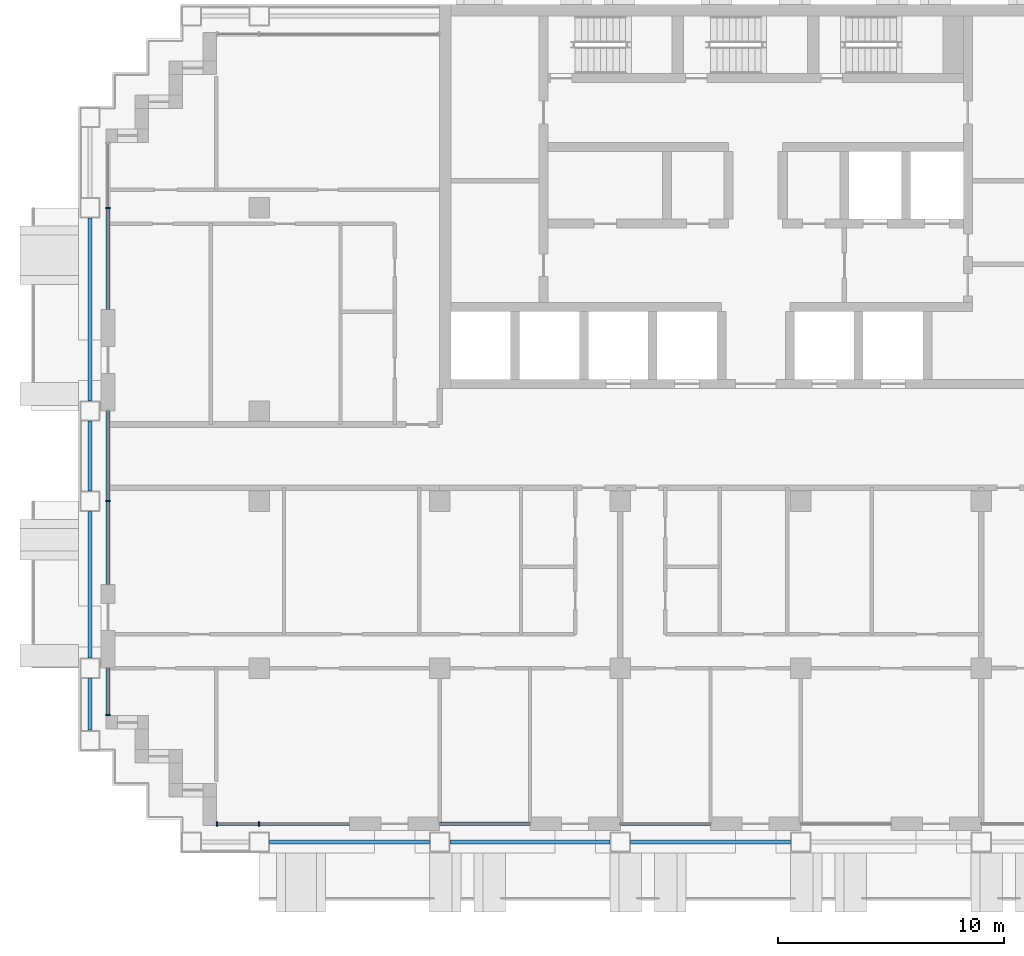
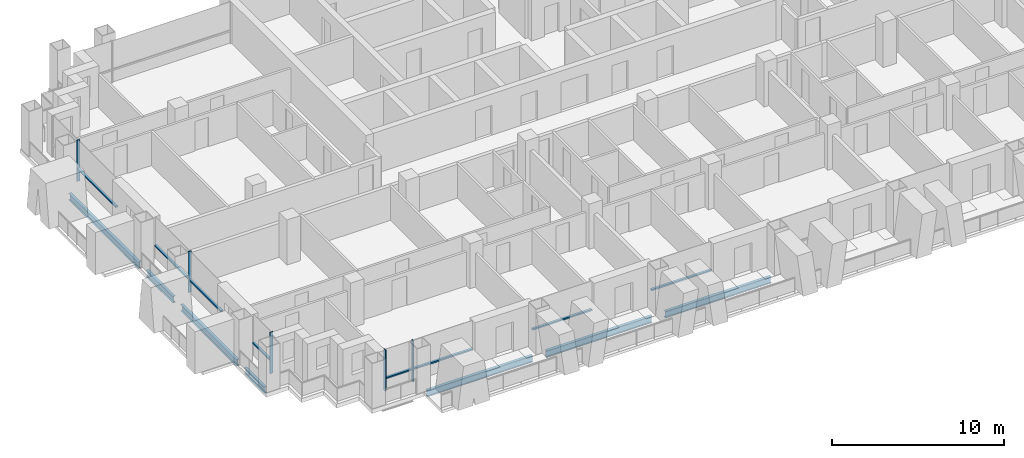
# One storey, part 2 of 18: 13 members, 7 beams, 6 elements without a shape of their own.
"""IFC4 building model written with IfcOpenShell, lengths in metres."""

import ifcopenshell
import ifcopenshell.guid

model = None  # the IFC model being written
_history = None  # IfcOwnerHistory: only IFC2X3 demands one
_inside = {}  # id of a spatial element -> (the spatial element, [elements in it])
_under = {}  # id of a project, library or spatial element -> (it, [spatial elements below it])
_declared = {}  # id of a project -> (the project, [libraries it declares])
_typed = {}  # id of a type object -> (the type object, [elements of that type])
_made_of = {}  # id of a material, layer set ... -> (it, [elements and type objects made of it])


def new_model(schema):
    """Start an empty IFC model of exactly this schema.

    Asked for "IFC4X3", IfcOpenShell would pick the latest addendum, in which some entities
    have other attributes; the version numbers below select the first issue.
    IFC2X3 requires an IfcOwnerHistory on every rooted entity: one is made here for all.
    """
    global model, _history
    if schema == "IFC4X3":
        model = ifcopenshell.file(schema_version=(4, 3, 0, 0))
    else:
        model = ifcopenshell.file(schema=schema)
    _inside.clear()
    _under.clear()
    _declared.clear()
    _typed.clear()
    _made_of.clear()
    _history = None
    if model.schema == "IFC2X3":
        org = make("IfcOrganization", Name="unknown")
        user = make(
            "IfcPersonAndOrganization",
            ThePerson=make("IfcPerson", FamilyName="unknown"),
            TheOrganization=org,
        )
        app = make(
            "IfcApplication",
            ApplicationDeveloper=org,
            Version="unknown",
            ApplicationFullName="unknown",
            ApplicationIdentifier="unknown",
        )
        _history = make(
            "IfcOwnerHistory",
            OwningUser=user,
            OwningApplication=app,
            ChangeAction="ADDED",
            CreationDate=0,
        )
    return model


def make(cls, **values):
    """One entity of the class cls with the attributes given. An attribute that is None is left unset."""
    return model.create_entity(
        cls, **{name: value for name, value in values.items() if value is not None}
    )


def rooted(cls, **values):
    """An entity with a GlobalId (a new one), such as an element, a storey or a relation."""
    return make(cls, GlobalId=ifcopenshell.guid.new(), OwnerHistory=_history, **values)


def si_unit(unit_type, name, prefix=None):
    """IfcSIUnit, for example si_unit("LENGTHUNIT", "METRE", prefix="MILLI")."""
    return make("IfcSIUnit", UnitType=unit_type, Prefix=prefix, Name=name)


def assignment(units):
    """IfcUnitAssignment: the units of a project."""
    return None if units is None else make("IfcUnitAssignment", Units=units)


def point(xyz):
    """IfcCartesianPoint."""
    return None if xyz is None else make("IfcCartesianPoint", Coordinates=xyz)


def direction(xyz):
    """IfcDirection."""
    return None if xyz is None else make("IfcDirection", DirectionRatios=xyz)


def frame(location, z_axis=None, x_axis=None):
    """IfcAxis2Placement3D, a coordinate frame: its origin and axes. An axis left out is left unset."""
    return make(
        "IfcAxis2Placement3D",
        Location=point(location),
        Axis=direction(z_axis),
        RefDirection=direction(x_axis),
    )


def frame_2d(location, x_axis=None):
    """IfcAxis2Placement2D, a coordinate frame in the plane: its origin and x axis."""
    return make(
        "IfcAxis2Placement2D", Location=point(location), RefDirection=direction(x_axis)
    )


def origin():
    """The frame at (0, 0, 0) with its axes left unset."""
    return frame((0.0, 0.0, 0.0))


def origin_2d():
    """The frame at (0, 0) in the plane with its x axis left unset."""
    return frame_2d((0.0, 0.0))


def place(relative_to, where):
    """IfcLocalPlacement: puts the frame where relative to a parent placement (None: the world)."""
    return make(
        "IfcLocalPlacement", PlacementRelTo=relative_to, RelativePlacement=where
    )


def context(
    kind, dimensions, precision=None, world=None, true_north=None, identifier=None
):
    """IfcGeometricRepresentationContext, for example the 3D "Model" context."""
    return make(
        "IfcGeometricRepresentationContext",
        ContextIdentifier=identifier,
        ContextType=kind,
        CoordinateSpaceDimension=dimensions,
        Precision=precision,
        WorldCoordinateSystem=world,
        TrueNorth=true_north,
    )


def subcontext(parent, identifier, kind, view, scale=None):
    """IfcGeometricRepresentationSubContext, for example "Body" below "Model"."""
    return make(
        "IfcGeometricRepresentationSubContext",
        ContextIdentifier=identifier,
        ContextType=kind,
        ParentContext=parent,
        TargetScale=scale,
        TargetView=view,
    )


def project(units=None, contexts=None):
    """IfcProject with its units and contexts."""
    return rooted(
        "IfcProject",
        Name="project",
        RepresentationContexts=contexts,
        UnitsInContext=assignment(units),
    )


def spatial(cls, under=None, at=None, **own):
    """A site, building, storey or space (cls), placed at a placement, below another one or the project."""
    s = rooted(cls, ObjectPlacement=at, **own)
    if under is not None:
        _under.setdefault(under.id(), (under, []))[1].append(s)
    return s


def profile(cls, at=None, kind="AREA", **sizes):
    """A parametric profile (cls). Its sizes go by their IFC names, for example OverallWidth=200.0."""
    return make(cls, ProfileType=kind, Position=at, **sizes)


def rectangle(**sizes):
    """IfcRectangleProfileDef."""
    return profile("IfcRectangleProfileDef", **sizes)


def i_section(**sizes):
    """IfcIShapeProfileDef."""
    return profile("IfcIShapeProfileDef", **sizes)


def extrude(swept, where, along, depth):
    """IfcExtrudedAreaSolid: the profile swept, set in the frame where, extruded along a direction by depth."""
    return make(
        "IfcExtrudedAreaSolid",
        SweptArea=swept,
        Position=where,
        ExtrudedDirection=direction(along),
        Depth=depth,
    )


def shape(context_of_items, identifier, shape_type, items):
    """IfcShapeRepresentation: the items that make up one representation, for example the "Body"."""
    return make(
        "IfcShapeRepresentation",
        ContextOfItems=context_of_items,
        RepresentationIdentifier=identifier,
        RepresentationType=shape_type,
        Items=items,
    )


def material(Name=None, Category=None):
    """IfcMaterial."""
    return make("IfcMaterial", Name=Name, Category=Category)


def material_profile(
    of_material, cross_section, Name=None, Category=None, Priority=None
):
    """IfcMaterialProfile: a cross section and its material."""
    return make(
        "IfcMaterialProfile",
        Name=Name,
        Material=of_material,
        Profile=cross_section,
        Priority=Priority,
        Category=Category,
    )


def profile_set(profiles, Name=None, composite=None):
    """IfcMaterialProfileSet."""
    return make(
        "IfcMaterialProfileSet",
        Name=Name,
        MaterialProfiles=profiles,
        CompositeProfile=composite,
    )


def made_of(thing, what):
    """Note that an element or type object is made of a material, layer set ...; save() writes the relation."""
    if what is not None:
        _made_of.setdefault(what.id(), (what, []))[1].append(thing)
    return thing


def type_object(cls, material=None, **own):
    """A type object (cls), such as IfcWallType, which elements share."""
    return made_of(rooted(cls, **own), material)


def element(
    cls,
    number,
    at=None,
    inside=None,
    cuts=None,
    type_object=None,
    material=None,
    context=None,
    identifier="Body",
    shape_type=None,
    held_by="IfcProductDefinitionShape",
    body=None,
    shapes=None,
    **own,
):
    """One element of the class cls, such as IfcWall. Its Tag is "e" and its number.

    at: its placement. inside: the storey or other place that contains it. cuts: it is an
    opening in that element (IfcRelVoidsElement). A single representation is given by context,
    identifier, shape_type and body (its items); several are given by shapes. held_by: the class
    of the entity that holds the representations. save() writes the other relations.
    """
    e = rooted(cls, Tag="e%d" % number, ObjectPlacement=at, **own)
    if body is not None:
        shapes = [shape(context, identifier, shape_type, body)]
    if shapes is not None:
        e.Representation = make(held_by, Representations=shapes)
    if inside is not None:
        _inside.setdefault(inside.id(), (inside, []))[1].append(e)
    if cuts is not None:
        rooted(
            "IfcRelVoidsElement", RelatingBuildingElement=cuts, RelatedOpeningElement=e
        )
    if type_object is not None:
        _typed.setdefault(type_object.id(), (type_object, []))[1].append(e)
    return made_of(e, material)


def aggregate(whole, parts):
    """IfcRelAggregates: a whole, such as a stair, and the parts it consists of."""
    return rooted("IfcRelAggregates", RelatingObject=whole, RelatedObjects=parts)


def save(model, path):
    """Write the relations noted so far, then the file.

    IfcRelAggregates (storeys below a building ...), IfcRelContainedInSpatialStructure (elements
    in a storey), IfcRelDefinesByType, IfcRelAssociatesMaterial and IfcRelDeclares: one each for
    every whole, place, type object, material and project.
    """
    for whole, parts in _under.values():
        aggregate(whole, parts)
    for where, things in _inside.values():
        rooted(
            "IfcRelContainedInSpatialStructure",
            RelatedElements=things,
            RelatingStructure=where,
        )
    for kind, things in _typed.values():
        rooted("IfcRelDefinesByType", RelatedObjects=things, RelatingType=kind)
    for what, things in _made_of.values():
        rooted("IfcRelAssociatesMaterial", RelatedObjects=things, RelatingMaterial=what)
    for by, libraries in _declared.values():
        rooted("IfcRelDeclares", RelatingContext=by, RelatedDefinitions=libraries)
    model.write(path)


model = new_model("IFC4")

# Units and contexts
model_context = context("Model", 3, precision=1e-05, world=origin(), true_north=direction((0.0, 1.0)))
body_context = subcontext(model_context, "Body", "Model", "MODEL_VIEW")
ifc_project = project(units=[si_unit("LENGTHUNIT", "METRE"), si_unit("AREAUNIT", "SQUARE_METRE"), si_unit("VOLUMEUNIT", "CUBIC_METRE"), si_unit("PLANEANGLEUNIT", "RADIAN"), si_unit("MASSUNIT", "GRAM", prefix="KILO")], contexts=[model_context])

# Site, building, storey
site_placement = place(None, origin())
site = spatial("IfcSite", under=ifc_project, at=site_placement, CompositionType="ELEMENT")
building_placement = place(site_placement, origin())
building = spatial("IfcBuilding", under=site, at=building_placement, Name="Vidyagriha Tower", CompositionType="ELEMENT")
storey_placement = place(building_placement, frame((0.0, 0.0, 83.89990234375)))
storey = spatial("IfcBuildingStorey", under=building, at=storey_placement, Name="L21", CompositionType="ELEMENT", Elevation=83.89990234375)

# Beams
ifc_material_1 = material(Name="Steel ASTM A992 Grade 50", Category="steel")
ifc_material_profile_1 = material_profile(ifc_material_1, i_section(OverallWidth=0.19189453125, OverallDepth=0.46240234375, WebThickness=0.010498046875, FlangeThickness=0.017578125, at=origin_2d()), Name="W18X60")
ifc_profile_set_1 = profile_set([ifc_material_profile_1], Name="Steel ASTM A992 Grade 50")
beam_type = type_object("IfcBeamType", Name="Edge beam W18X60", PredefinedType="SPANDREL", material=ifc_profile_set_1)
for number, where, z_axis, x_axis, name in (
    (1, (-21.550048828125, -17.10009765625, -0.510986328125), (1.0, 0.0, 0.0), (0.0, 1.0, 0.0), "st-beam-L21-S02"),
    (2, (-13.550048828125, -17.10009765625, -0.510986328125), (1.0, 0.0, 0.0), (0.0, 1.0, 0.0), "st-beam-L21-S03"),
    (3, (-5.550048828125, -17.10009765625, -0.510986328125), (1.0, 0.0, 0.0), (0.0, 1.0, 0.0), "st-beam-L21-S04"),
):
    element("IfcBeam", number, at=place(storey_placement, frame(where, z_axis=z_axis, x_axis=x_axis)), inside=storey, type_object=beam_type, Name=name, PredefinedType="SPANDREL", context=body_context, shape_type="SweptSolid", body=[
        extrude(i_section(OverallWidth=0.19189453125, OverallDepth=0.46240234375, WebThickness=0.010498046875, FlangeThickness=0.017578125, at=origin_2d()), origin(), (0.0, 0.0, 1.0), 7.10009765625),
    ])
beam_1_placement = place(storey_placement, frame((-29.5, -12.14990234375, -0.510986328125), z_axis=(0.0, 1.0, 0.0), x_axis=(-1.0, 0.0, 0.0)))
element("IfcBeam", 4, at=beam_1_placement, inside=storey, type_object=beam_type, Name="st-beam-L21-W10", PredefinedType="SPANDREL", context=body_context, shape_type="SweptSolid", body=[
    extrude(i_section(OverallWidth=0.19189453125, OverallDepth=0.46240234375, WebThickness=0.010498046875, FlangeThickness=0.017578125, at=origin_2d()), origin(), (0.0, 0.0, 1.0), 2.2998046875),
])
beam_2_placement = place(storey_placement, frame((-29.5, -8.949951171875, -0.510986328125), z_axis=(0.0, 1.0, 0.0), x_axis=(-1.0, 0.0, 0.0)))
element("IfcBeam", 5, at=beam_2_placement, inside=storey, type_object=beam_type, Name="st-beam-L21-W11", PredefinedType="SPANDREL", context=body_context, shape_type="SweptSolid", body=[
    extrude(i_section(OverallWidth=0.19189453125, OverallDepth=0.46240234375, WebThickness=0.010498046875, FlangeThickness=0.017578125, at=origin_2d()), origin(), (0.0, 0.0, 1.0), 6.5),
])
beam_3_placement = place(storey_placement, frame((-29.5, -1.550048828125, -0.510986328125), z_axis=(0.0, 1.0, 0.0), x_axis=(-1.0, 0.0, 0.0)))
element("IfcBeam", 6, at=beam_3_placement, inside=storey, type_object=beam_type, Name="st-beam-L21-W12", PredefinedType="SPANDREL", context=body_context, shape_type="SweptSolid", body=[
    extrude(i_section(OverallWidth=0.19189453125, OverallDepth=0.46240234375, WebThickness=0.010498046875, FlangeThickness=0.017578125, at=origin_2d()), origin(), (0.0, 0.0, 1.0), 3.10009765625),
])
beam_4_placement = place(storey_placement, frame((-29.5, 2.449951171875, -0.510986328125), z_axis=(0.0, 1.0, 0.0), x_axis=(-1.0, 0.0, 0.0)))
element("IfcBeam", 7, at=beam_4_placement, inside=storey, type_object=beam_type, Name="st-beam-L21-W13", PredefinedType="SPANDREL", context=body_context, shape_type="SweptSolid", body=[
    extrude(i_section(OverallWidth=0.19189453125, OverallDepth=0.46240234375, WebThickness=0.010498046875, FlangeThickness=0.017578125, at=origin_2d()), origin(), (0.0, 0.0, 1.0), 8.10009765625),
])

# Curtain wall, member
ifc_material_2 = material(Name="Aluminium and glass curtain wall", Category="aluminium")
curtain_wall_type = type_object("IfcCurtainWallType", Name="Dwelling skin unitised curtain wall", PredefinedType="USERDEFINED", material=ifc_material_2)
curtain_wall_1_placement = place(storey_placement, origin())
curtain_wall_1 = element("IfcCurtainWall", 8, at=curtain_wall_1_placement, inside=storey, type_object=curtain_wall_type, Name="CW1 dwelling skin", ObjectType="UNITISED", PredefinedType="USERDEFINED")
ifc_material_3 = material(Name="Aluminium black anodised", Category="aluminium")
ifc_material_profile_2 = material_profile(ifc_material_3, rectangle(XDim=0.199951171875, YDim=0.070068359375, at=origin_2d()), Name="Mullion 70x200 black aluminium")
ifc_profile_set_2 = profile_set([ifc_material_profile_2], Name="Aluminium black anodised")
member_type_1 = type_object("IfcMemberType", Name="Mullion 70x200 black aluminium", PredefinedType="MULLION", material=ifc_profile_set_2)
member_1_placement = place(storey_placement, frame((-28.699951171875, 11.0, 0.0)))
member_1 = element("IfcMember", 9, at=member_1_placement, type_object=member_type_1, Name="CW1 mullion 2", PredefinedType="MULLION", context=body_context, shape_type="SweptSolid", body=[
    extrude(rectangle(XDim=0.199951171875, YDim=0.070068359375, at=origin_2d()), origin(), (0.0, 0.0, 1.0), 2.920166015625),
])

curtain_wall_2_placement = place(storey_placement, origin())
curtain_wall_2 = element("IfcCurtainWall", 10, at=curtain_wall_2_placement, inside=storey, type_object=curtain_wall_type, Name="CW1 dwelling skin", ObjectType="UNITISED", PredefinedType="USERDEFINED")
member_2_placement = place(storey_placement, frame((-28.699951171875, -2.0, 0.0)))
member_2 = element("IfcMember", 11, at=member_2_placement, type_object=member_type_1, Name="CW1 mullion 2", PredefinedType="MULLION", context=body_context, shape_type="SweptSolid", body=[
    extrude(rectangle(XDim=0.199951171875, YDim=0.070068359375, at=origin_2d()), origin(), (0.0, 0.0, 1.0), 2.920166015625),
])

curtain_wall_3_placement = place(storey_placement, origin())
curtain_wall_3 = element("IfcCurtainWall", 12, at=curtain_wall_3_placement, inside=storey, type_object=curtain_wall_type, Name="CW1 dwelling skin", ObjectType="UNITISED", PredefinedType="USERDEFINED")
member_3_placement = place(storey_placement, frame((-28.699951171875, -11.465087890625, 0.0)))
member_3 = element("IfcMember", 13, at=member_3_placement, type_object=member_type_1, Name="CW1 mullion 2", PredefinedType="MULLION", context=body_context, shape_type="SweptSolid", body=[
    extrude(rectangle(XDim=0.199951171875, YDim=0.070068359375, at=origin_2d()), origin(), (0.0, 0.0, 1.0), 2.920166015625),
])

# Curtain wall, members
curtain_wall_4_placement = place(storey_placement, origin())
curtain_wall_4 = element("IfcCurtainWall", 14, at=curtain_wall_4_placement, inside=storey, type_object=curtain_wall_type, Name="CW1 dwelling skin", ObjectType="UNITISED", PredefinedType="USERDEFINED")
member_4_placement = place(storey_placement, frame((-23.864990234375, -16.300048828125, 0.0), z_axis=(0.0, 0.0, 1.0), x_axis=(0.0, 1.0, 0.0)))
member_4 = element("IfcMember", 15, at=member_4_placement, type_object=member_type_1, Name="CW1 mullion 1", PredefinedType="MULLION", context=body_context, shape_type="SweptSolid", body=[
    extrude(rectangle(XDim=0.199951171875, YDim=0.070068359375, at=origin_2d()), origin(), (0.0, 0.0, 1.0), 2.920166015625),
])
member_5_placement = place(storey_placement, frame((-22.0, -16.300048828125, 0.0), z_axis=(0.0, 0.0, 1.0), x_axis=(0.0, 1.0, 0.0)))
member_5 = element("IfcMember", 16, at=member_5_placement, type_object=member_type_1, Name="CW1 mullion 2", PredefinedType="MULLION", context=body_context, shape_type="SweptSolid", body=[
    extrude(rectangle(XDim=0.199951171875, YDim=0.070068359375, at=origin_2d()), origin(), (0.0, 0.0, 1.0), 2.920166015625),
])

# Member
ifc_material_4 = material(Name="Aluminium black anodised", Category="aluminium")
ifc_material_profile_3 = material_profile(ifc_material_4, rectangle(XDim=0.159912109375, YDim=0.10009765625, at=origin_2d()), Name="Transom 100x160 black aluminium")
ifc_profile_set_3 = profile_set([ifc_material_profile_3], Name="Aluminium black anodised")
member_type_2 = type_object("IfcMemberType", Name="Transom 100x160 black aluminium", PredefinedType="USERDEFINED", material=ifc_profile_set_3)
member_6_placement = place(storey_placement, frame((-28.699951171875, 10.965087890625, 0.900146484375), z_axis=(0.0, -1.0, 0.0), x_axis=(1.0, 0.0, 0.0)))
member_6 = element("IfcMember", 17, at=member_6_placement, type_object=member_type_2, Name="CW1 transom 2.1", ObjectType="TRANSOM", PredefinedType="USERDEFINED", context=body_context, shape_type="SweptSolid", body=[
    extrude(rectangle(XDim=0.159912109375, YDim=0.10009765625, at=origin_2d()), origin(), (0.0, 0.0, 1.0), 4.465087890625),
])

aggregate(curtain_wall_1, [member_1, member_6])

member_7_placement = place(storey_placement, frame((-28.699951171875, 2.0, 0.900146484375), z_axis=(0.0, -1.0, 0.0), x_axis=(1.0, 0.0, 0.0)))
member_7 = element("IfcMember", 18, at=member_7_placement, type_object=member_type_2, Name="CW1 transom 1.1", ObjectType="TRANSOM", PredefinedType="USERDEFINED", context=body_context, shape_type="SweptSolid", body=[
    extrude(rectangle(XDim=0.159912109375, YDim=0.10009765625, at=origin_2d()), origin(), (0.0, 0.0, 1.0), 3.965087890625),
])

member_8_placement = place(storey_placement, frame((-28.699951171875, -2.034912109375, 0.900146484375), z_axis=(0.0, -1.0, 0.0), x_axis=(1.0, 0.0, 0.0)))
member_8 = element("IfcMember", 19, at=member_8_placement, type_object=member_type_2, Name="CW1 transom 2.1", ObjectType="TRANSOM", PredefinedType="USERDEFINED", context=body_context, shape_type="SweptSolid", body=[
    extrude(rectangle(XDim=0.159912109375, YDim=0.10009765625, at=origin_2d()), origin(), (0.0, 0.0, 1.0), 3.6650390625),
])

aggregate(curtain_wall_2, [member_2, member_7, member_8])

member_9_placement = place(storey_placement, frame((-28.699951171875, -9.39990234375, 0.900146484375), z_axis=(0.0, -1.0, 0.0), x_axis=(1.0, 0.0, 0.0)))
member_9 = element("IfcMember", 20, at=member_9_placement, type_object=member_type_2, Name="CW1 transom 1.1", ObjectType="TRANSOM", PredefinedType="USERDEFINED", context=body_context, shape_type="SweptSolid", body=[
    extrude(rectangle(XDim=0.159912109375, YDim=0.10009765625, at=origin_2d()), origin(), (0.0, 0.0, 1.0), 2.030029296875),
])

aggregate(curtain_wall_3, [member_3, member_9])

member_10_placement = place(storey_placement, frame((-23.830078125, -16.300048828125, 0.900146484375), z_axis=(1.0, 0.0, 0.0), x_axis=(0.0, 1.0, 0.0)))
member_10 = element("IfcMember", 21, at=member_10_placement, type_object=member_type_2, Name="CW1 transom 1.1", ObjectType="TRANSOM", PredefinedType="USERDEFINED", context=body_context, shape_type="SweptSolid", body=[
    extrude(rectangle(XDim=0.159912109375, YDim=0.10009765625, at=origin_2d()), origin(), (0.0, 0.0, 1.0), 1.795166015625),
])

member_11_placement = place(storey_placement, frame((-21.965087890625, -16.300048828125, 0.900146484375), z_axis=(1.0, 0.0, 0.0), x_axis=(0.0, 1.0, 0.0)))
member_11 = element("IfcMember", 22, at=member_11_placement, type_object=member_type_2, Name="CW1 transom 2.1", ObjectType="TRANSOM", PredefinedType="USERDEFINED", context=body_context, shape_type="SweptSolid", body=[
    extrude(rectangle(XDim=0.159912109375, YDim=0.10009765625, at=origin_2d()), origin(), (0.0, 0.0, 1.0), 3.965087890625),
])

aggregate(curtain_wall_4, [member_4, member_5, member_10, member_11])

# Curtain wall, member
curtain_wall_5_placement = place(storey_placement, origin())
curtain_wall_5 = element("IfcCurtainWall", 23, at=curtain_wall_5_placement, inside=storey, type_object=curtain_wall_type, Name="CW1 dwelling skin", ObjectType="UNITISED", PredefinedType="USERDEFINED")
member_12_placement = place(storey_placement, frame((-14.0, -16.300048828125, 0.900146484375), z_axis=(1.0, 0.0, 0.0), x_axis=(0.0, 1.0, 0.0)))
member_12 = element("IfcMember", 24, at=member_12_placement, type_object=member_type_2, Name="CW1 transom 1.1", ObjectType="TRANSOM", PredefinedType="USERDEFINED", context=body_context, shape_type="SweptSolid", body=[
    extrude(rectangle(XDim=0.159912109375, YDim=0.10009765625, at=origin_2d()), origin(), (0.0, 0.0, 1.0), 4.0),
])
aggregate(curtain_wall_5, [member_12])

curtain_wall_6_placement = place(storey_placement, origin())
curtain_wall_6 = element("IfcCurtainWall", 25, at=curtain_wall_6_placement, inside=storey, type_object=curtain_wall_type, Name="CW1 dwelling skin", ObjectType="UNITISED", PredefinedType="USERDEFINED")
member_13_placement = place(storey_placement, frame((-6.0, -16.300048828125, 0.900146484375), z_axis=(1.0, 0.0, 0.0), x_axis=(0.0, 1.0, 0.0)))
member_13 = element("IfcMember", 26, at=member_13_placement, type_object=member_type_2, Name="CW1 transom 1.1", ObjectType="TRANSOM", PredefinedType="USERDEFINED", context=body_context, shape_type="SweptSolid", body=[
    extrude(rectangle(XDim=0.159912109375, YDim=0.10009765625, at=origin_2d()), origin(), (0.0, 0.0, 1.0), 4.0),
])
aggregate(curtain_wall_6, [member_13])

save(model, "model.ifc")
